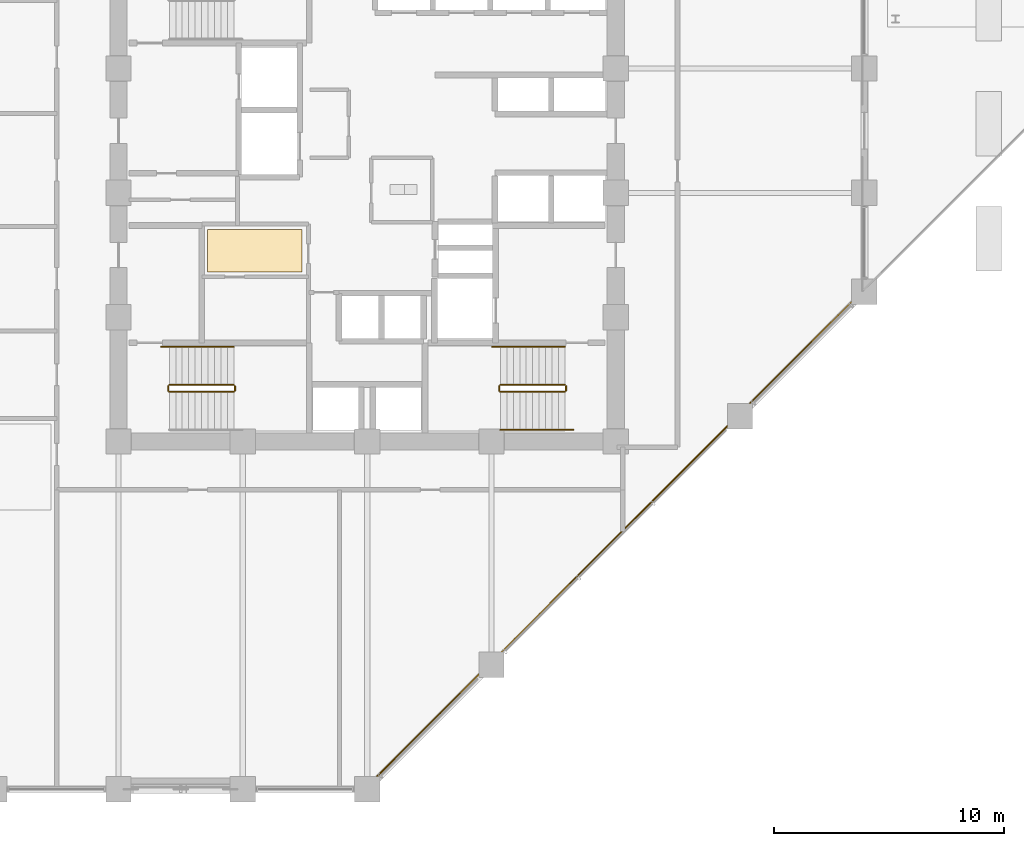
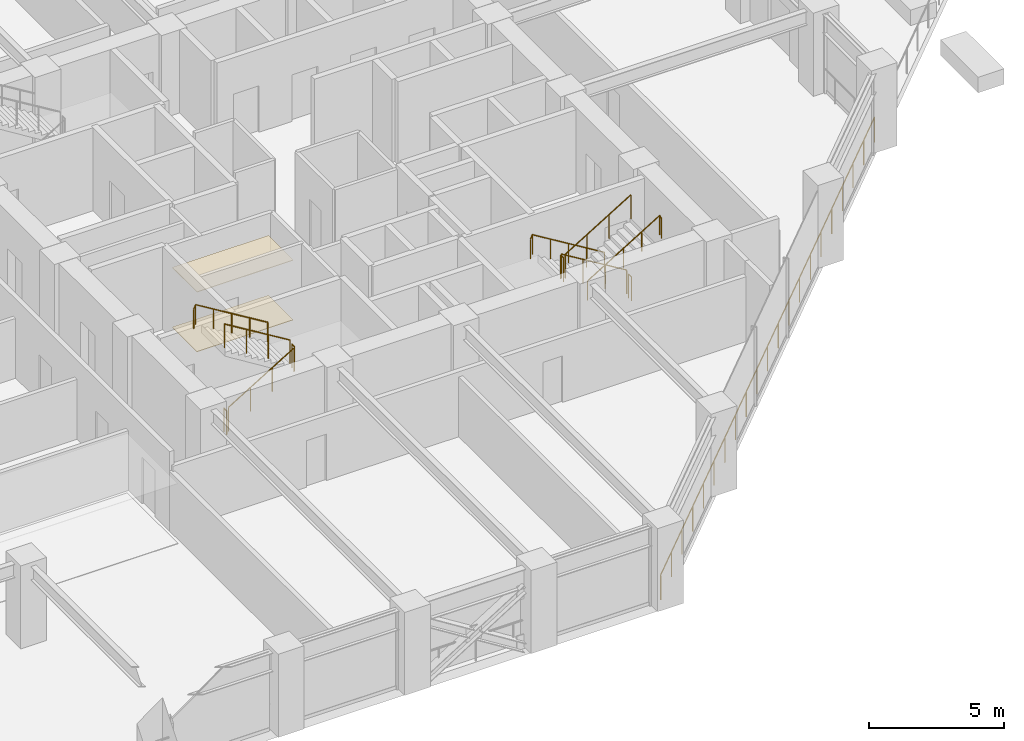
# One storey, part 25 of 30: 12 railings, 2 coverings.
"""IFC4 building model written with IfcOpenShell, lengths in metres."""

from ifc_helpers import new_model, si_unit, direction, frame, origin, origin_2d, place, context, subcontext, project, spatial, polyline, circle, outline, extrude, material, layer, layer_set, type_object, element, save


model = new_model("IFC4")

# Units and contexts
model_context = context("Model", 3, precision=1e-05, world=origin(), true_north=direction((0.0, 1.0)))
body_context = subcontext(model_context, "Body", "Model", "MODEL_VIEW")
ifc_project = project(units=[si_unit("LENGTHUNIT", "METRE"), si_unit("AREAUNIT", "SQUARE_METRE"), si_unit("VOLUMEUNIT", "CUBIC_METRE"), si_unit("PLANEANGLEUNIT", "RADIAN"), si_unit("MASSUNIT", "GRAM", prefix="KILO")], contexts=[model_context])

# Site, building, storey
site_placement = place(None, origin())
site = spatial("IfcSite", under=ifc_project, at=site_placement, CompositionType="ELEMENT")
building_placement = place(site_placement, origin())
building = spatial("IfcBuilding", under=site, at=building_placement, Name="Surkhivell Harbour Commons", CompositionType="ELEMENT")
storey_placement = place(building_placement, frame((0.0, 0.0, 83.25)))
storey = spatial("IfcBuildingStorey", under=building, at=storey_placement, Name="L21", CompositionType="ELEMENT", Elevation=83.25)

# Coverings
ifc_material_1 = material(Name="Perforated acoustic mineral-fibre ceiling tile", Category="other")
ifc_layer_1 = layer(ifc_material_1, 0.02490234375)
ifc_layer_set_1 = layer_set([ifc_layer_1], Name="Perforated acoustic mineral-fibre ceiling tile")
covering_type_1 = type_object("IfcCoveringType", Name="COV-CEIL-AC", PredefinedType="CEILING", material=ifc_layer_set_1)
covering_1_placement = place(storey_placement, frame((0.0, 0.0, 2.694091796875)))
element("IfcCovering", 1, at=covering_1_placement, inside=storey, type_object=covering_type_1, Name="L21 Suspended Acoustic Ceiling 1", PredefinedType="CEILING", context=body_context, shape_type="SweptSolid", body=[
    extrude(outline(polyline([(-6.929931640625, -3.429931640625), (-2.820068359375, -3.429931640625), (-2.820068359375, -1.60009765625), (-6.929931640625, -1.60009765625), (-6.929931640625, -3.429931640625)])), origin(), (0.0, 0.0, 1.0), 0.02490234375),
])
ifc_material_2 = material(Name="Engineered acoustic oak timber flooring", Category="wood")
ifc_layer_2 = layer(ifc_material_2, 0.02001953125)
ifc_layer_set_2 = layer_set([ifc_layer_2], Name="Engineered acoustic oak timber flooring")
covering_type_2 = type_object("IfcCoveringType", Name="COV-FLR-TIM", PredefinedType="FLOORING", material=ifc_layer_set_2)
covering_2_placement = place(storey_placement, origin())
element("IfcCovering", 2, at=covering_2_placement, inside=storey, type_object=covering_type_2, Name="L21 Interior Floor Finish 1", PredefinedType="FLOORING", context=body_context, shape_type="SweptSolid", body=[
    extrude(outline(polyline([(-6.929931640625, -3.429931640625), (-2.820068359375, -3.429931640625), (-2.820068359375, -1.60009765625), (-6.929931640625, -1.60009765625), (-6.929931640625, -3.429931640625)])), origin(), (0.0, 0.0, 1.0), 0.02001953125),
])

# Railings
ifc_material_3 = material(Name="Laminated safety glass and stainless steel S355 balustrade", Category="steel")
railing_type_1 = type_object("IfcRailingType", Name="RAL-BAL-1150", PredefinedType="BALUSTRADE", material=ifc_material_3)
railing_1_placement = place(storey_placement, frame((-0.063720703125, -25.83642578125, 0.0)))
element("IfcRailing", 3, at=railing_1_placement, inside=storey, type_object=railing_type_1, Name="L21 Perimeter Safety Guard 02", PredefinedType="BALUSTRADE", context=body_context, shape_type="SweptSolid", body=[
    extrude(circle(Radius=0.02392578125, at=origin_2d()), frame((0.0, 0.0, 1.1259765625), z_axis=(0.707106781187, 0.707106781187, 0.0), x_axis=(-0.707106781187, 0.707106781187, 0.0)), (0.0, 0.0, 1.0), 30.547119140625),
    extrude(circle(Radius=0.02099609375, at=origin_2d()), origin(), (0.0, 0.0, 1.0), 1.101806640625),
    extrude(circle(Radius=0.02099609375, at=origin_2d()), frame((1.080078125, 1.080078125, 0.0)), (0.0, 0.0, 1.0), 1.101806640625),
    extrude(circle(Radius=0.02099609375, at=origin_2d()), frame((2.159912109375, 2.159912109375, 0.0)), (0.0, 0.0, 1.0), 1.101806640625),
    extrude(circle(Radius=0.02099609375, at=origin_2d()), frame((3.239990234375, 3.239990234375, 0.0)), (0.0, 0.0, 1.0), 1.101806640625),
    extrude(circle(Radius=0.02099609375, at=origin_2d()), frame((4.320068359375, 4.320068359375, 0.0)), (0.0, 0.0, 1.0), 1.101806640625),
    extrude(circle(Radius=0.02099609375, at=origin_2d()), frame((5.39990234375, 5.39990234375, 0.0)), (0.0, 0.0, 1.0), 1.101806640625),
    extrude(circle(Radius=0.02099609375, at=origin_2d()), frame((6.47998046875, 6.47998046875, 0.0)), (0.0, 0.0, 1.0), 1.101806640625),
    extrude(circle(Radius=0.02099609375, at=origin_2d()), frame((7.56005859375, 7.56005859375, 0.0)), (0.0, 0.0, 1.0), 1.101806640625),
    extrude(circle(Radius=0.02099609375, at=origin_2d()), frame((8.64013671875, 8.64013671875, 0.0)), (0.0, 0.0, 1.0), 1.101806640625),
    extrude(circle(Radius=0.02099609375, at=origin_2d()), frame((9.719970703125, 9.719970703125, 0.0)), (0.0, 0.0, 1.0), 1.101806640625),
    extrude(circle(Radius=0.02099609375, at=origin_2d()), frame((10.800048828125, 10.800048828125, 0.0)), (0.0, 0.0, 1.0), 1.101806640625),
    extrude(circle(Radius=0.02099609375, at=origin_2d()), frame((11.880126953125, 11.880126953125, 0.0)), (0.0, 0.0, 1.0), 1.101806640625),
    extrude(circle(Radius=0.02099609375, at=origin_2d()), frame((12.9599609375, 12.9599609375, 0.0)), (0.0, 0.0, 1.0), 1.101806640625),
    extrude(circle(Radius=0.02099609375, at=origin_2d()), frame((14.0400390625, 14.0400390625, 0.0)), (0.0, 0.0, 1.0), 1.101806640625),
    extrude(circle(Radius=0.02099609375, at=origin_2d()), frame((15.1201171875, 15.1201171875, 0.0)), (0.0, 0.0, 1.0), 1.101806640625),
    extrude(circle(Radius=0.02099609375, at=origin_2d()), frame((16.2001953125, 16.2001953125, 0.0)), (0.0, 0.0, 1.0), 1.101806640625),
    extrude(circle(Radius=0.02099609375, at=origin_2d()), frame((17.280029296875, 17.280029296875, 0.0)), (0.0, 0.0, 1.0), 1.101806640625),
    extrude(circle(Radius=0.02099609375, at=origin_2d()), frame((18.360107421875, 18.360107421875, 0.0)), (0.0, 0.0, 1.0), 1.101806640625),
    extrude(circle(Radius=0.02099609375, at=origin_2d()), frame((19.440185546875, 19.440185546875, 0.0)), (0.0, 0.0, 1.0), 1.101806640625),
    extrude(circle(Radius=0.02099609375, at=origin_2d()), frame((20.52001953125, 20.52001953125, 0.0)), (0.0, 0.0, 1.0), 1.101806640625),
    extrude(circle(Radius=0.02099609375, at=origin_2d()), frame((21.60009765625, 21.60009765625, 0.0)), (0.0, 0.0, 1.0), 1.101806640625),
])
ifc_material_4 = material(Name="Galvanised and painted steel S355 guard rail", Category="steel")
railing_type_2 = type_object("IfcRailingType", Name="RAL-ST-GRD1100", PredefinedType="GUARDRAIL", material=ifc_material_4)
railing_2_placement = place(storey_placement, frame((8.590087890625, -8.340087890625, 0.17041015625)))
element("IfcRailing", 4, at=railing_2_placement, inside=storey, type_object=railing_type_2, Name="L21 ST2 stair guard 1", PredefinedType="GUARDRAIL", context=body_context, shape_type="SweptSolid", body=[
    extrude(circle(Radius=0.02392578125, at=origin_2d()), frame((0.0, 0.0, 1.076171875), z_axis=(-0.854169791009, 0.0, 0.51999420009), x_axis=(0.0, -1.0, 0.0)), (0.0, 0.0, 1.0), 3.278076171875),
    extrude(circle(Radius=0.02099609375, at=origin_2d()), origin(), (0.0, 0.0, 1.0), 1.052001953125),
    extrude(circle(Radius=0.02099609375, at=origin_2d()), frame((-0.933349609375, 0.0, 0.568115234375)), (0.0, 0.0, 1.0), 1.052001953125),
    extrude(circle(Radius=0.02099609375, at=origin_2d()), frame((-1.86669921875, 0.0, 1.136474609375)), (0.0, 0.0, 1.0), 1.052001953125),
    extrude(circle(Radius=0.02099609375, at=origin_2d()), frame((-2.800048828125, 0.0, 1.70458984375)), (0.0, 0.0, 1.0), 1.052001953125),
])
railing_3_placement = place(storey_placement, frame((5.739990234375, -8.389892578125, 1.875)))
element("IfcRailing", 5, at=railing_3_placement, inside=storey, type_object=railing_type_2, Name="L21 ST2 stair guard 2", PredefinedType="GUARDRAIL", context=body_context, shape_type="SweptSolid", body=[
    extrude(circle(Radius=0.02392578125, at=origin_2d()), frame((0.0, 0.0, 1.076171875), z_axis=(0.0, -1.0, 0.0), x_axis=(1.0, 0.0, 0.0)), (0.0, 0.0, 1.0), 0.2001953125),
    extrude(circle(Radius=0.02099609375, at=origin_2d()), origin(), (0.0, 0.0, 1.0), 1.052001953125),
    extrude(circle(Radius=0.02099609375, at=origin_2d()), frame((0.0, -0.2001953125, 0.0)), (0.0, 0.0, 1.0), 1.052001953125),
])
railing_4_placement = place(storey_placement, frame((5.7900390625, -8.639892578125, 2.04541015625)))
element("IfcRailing", 6, at=railing_4_placement, inside=storey, type_object=railing_type_2, Name="L21 ST2 stair guard 3", PredefinedType="GUARDRAIL", context=body_context, shape_type="SweptSolid", body=[
    extrude(circle(Radius=0.02392578125, at=origin_2d()), frame((0.0, 0.0, 1.076171875), z_axis=(0.854169791009, 0.0, 0.51999420009), x_axis=(0.0, 1.0, 0.0)), (0.0, 0.0, 1.0), 3.278076171875),
    extrude(circle(Radius=0.02099609375, at=origin_2d()), origin(), (0.0, 0.0, 1.0), 1.052001953125),
    extrude(circle(Radius=0.02099609375, at=origin_2d()), frame((0.933349609375, 0.0, 0.568115234375)), (0.0, 0.0, 1.0), 1.052001953125),
    extrude(circle(Radius=0.02099609375, at=origin_2d()), frame((1.86669921875, 0.0, 1.136474609375)), (0.0, 0.0, 1.0), 1.052001953125),
    extrude(circle(Radius=0.02099609375, at=origin_2d()), frame((2.800048828125, 0.0, 1.70458984375)), (0.0, 0.0, 1.0), 1.052001953125),
])
railing_5_placement = place(storey_placement, frame((8.639892578125, -8.389892578125, 0.0)))
element("IfcRailing", 7, at=railing_5_placement, inside=storey, type_object=railing_type_2, Name="L21 ST2 stair guard 4", PredefinedType="GUARDRAIL", context=body_context, shape_type="SweptSolid", body=[
    extrude(circle(Radius=0.02392578125, at=origin_2d()), frame((0.0, 0.0, 1.076171875), z_axis=(0.0, -1.0, 0.0), x_axis=(1.0, 0.0, 0.0)), (0.0, 0.0, 1.0), 0.2001953125),
    extrude(circle(Radius=0.02099609375, at=origin_2d()), origin(), (0.0, 0.0, 1.0), 1.052001953125),
    extrude(circle(Radius=0.02099609375, at=origin_2d()), frame((0.0, -0.2001953125, 0.0)), (0.0, 0.0, 1.0), 1.052001953125),
])
railing_6_placement = place(storey_placement, frame((-8.590087890625, -8.639892578125, 0.17041015625)))
element("IfcRailing", 8, at=railing_6_placement, inside=storey, type_object=railing_type_2, Name="L21 ST3 stair guard 1", PredefinedType="GUARDRAIL", context=body_context, shape_type="SweptSolid", body=[
    extrude(circle(Radius=0.02392578125, at=origin_2d()), frame((0.0, 0.0, 1.076171875), z_axis=(0.854169791009, 0.0, 0.51999420009), x_axis=(0.0, 1.0, 0.0)), (0.0, 0.0, 1.0), 3.278076171875),
    extrude(circle(Radius=0.02099609375, at=origin_2d()), origin(), (0.0, 0.0, 1.0), 1.052001953125),
    extrude(circle(Radius=0.02099609375, at=origin_2d()), frame((0.933349609375, 0.0, 0.568115234375)), (0.0, 0.0, 1.0), 1.052001953125),
    extrude(circle(Radius=0.02099609375, at=origin_2d()), frame((1.86669921875, 0.0, 1.136474609375)), (0.0, 0.0, 1.0), 1.052001953125),
    extrude(circle(Radius=0.02099609375, at=origin_2d()), frame((2.800048828125, 0.0, 1.70458984375)), (0.0, 0.0, 1.0), 1.052001953125),
])
railing_7_placement = place(storey_placement, frame((-5.739990234375, -8.590087890625, 1.875)))
element("IfcRailing", 9, at=railing_7_placement, inside=storey, type_object=railing_type_2, Name="L21 ST3 stair guard 2", PredefinedType="GUARDRAIL", context=body_context, shape_type="SweptSolid", body=[
    extrude(circle(Radius=0.02392578125, at=origin_2d()), frame((0.0, 0.0, 1.076171875), z_axis=(0.0, 1.0, 0.0), x_axis=(-1.0, 0.0, 0.0)), (0.0, 0.0, 1.0), 0.2001953125),
    extrude(circle(Radius=0.02099609375, at=origin_2d()), origin(), (0.0, 0.0, 1.0), 1.052001953125),
    extrude(circle(Radius=0.02099609375, at=origin_2d()), frame((0.0, 0.2001953125, 0.0)), (0.0, 0.0, 1.0), 1.052001953125),
])
railing_8_placement = place(storey_placement, frame((-5.7900390625, -8.340087890625, 2.04541015625)))
element("IfcRailing", 10, at=railing_8_placement, inside=storey, type_object=railing_type_2, Name="L21 ST3 stair guard 3", PredefinedType="GUARDRAIL", context=body_context, shape_type="SweptSolid", body=[
    extrude(circle(Radius=0.02392578125, at=origin_2d()), frame((0.0, 0.0, 1.076171875), z_axis=(-0.854169791009, 0.0, 0.51999420009), x_axis=(0.0, -1.0, 0.0)), (0.0, 0.0, 1.0), 3.278076171875),
    extrude(circle(Radius=0.02099609375, at=origin_2d()), origin(), (0.0, 0.0, 1.0), 1.052001953125),
    extrude(circle(Radius=0.02099609375, at=origin_2d()), frame((-0.933349609375, 0.0, 0.568115234375)), (0.0, 0.0, 1.0), 1.052001953125),
    extrude(circle(Radius=0.02099609375, at=origin_2d()), frame((-1.86669921875, 0.0, 1.136474609375)), (0.0, 0.0, 1.0), 1.052001953125),
    extrude(circle(Radius=0.02099609375, at=origin_2d()), frame((-2.800048828125, 0.0, 1.70458984375)), (0.0, 0.0, 1.0), 1.052001953125),
])
railing_9_placement = place(storey_placement, frame((-8.639892578125, -8.590087890625, 0.0)))
element("IfcRailing", 11, at=railing_9_placement, inside=storey, type_object=railing_type_2, Name="L21 ST3 stair guard 4", PredefinedType="GUARDRAIL", context=body_context, shape_type="SweptSolid", body=[
    extrude(circle(Radius=0.02392578125, at=origin_2d()), frame((0.0, 0.0, 1.076171875), z_axis=(0.0, 1.0, 0.0), x_axis=(-1.0, 0.0, 0.0)), (0.0, 0.0, 1.0), 0.2001953125),
    extrude(circle(Radius=0.02099609375, at=origin_2d()), origin(), (0.0, 0.0, 1.0), 1.052001953125),
    extrude(circle(Radius=0.02099609375, at=origin_2d()), frame((0.0, 0.2001953125, 0.0)), (0.0, 0.0, 1.0), 1.052001953125),
])
ifc_material_5 = material(Name="Brushed stainless steel S355 handrail", Category="steel")
railing_type_3 = type_object("IfcRailingType", Name="RAL-ST-HND900", PredefinedType="HANDRAIL", material=ifc_material_5)
railing_10_placement = place(storey_placement, frame((8.590087890625, -6.68994140625, 0.17041015625)))
element("IfcRailing", 12, at=railing_10_placement, inside=storey, type_object=railing_type_3, Name="L21 ST2 stair handrail 1", PredefinedType="HANDRAIL", context=body_context, shape_type="SweptSolid", body=[
    extrude(circle(Radius=0.02392578125, at=origin_2d()), frame((0.0, 0.0, 0.8759765625), z_axis=(-0.854177636135, 0.0, 0.519981313056), x_axis=(0.0, -1.0, 0.0)), (0.0, 0.0, 1.0), 3.60595703125),
    extrude(circle(Radius=0.02392578125, at=origin_2d()), frame((-3.080078125, 0.0, 2.7509765625), z_axis=(-0.425297416671, 0.0, -0.905053648892), x_axis=(0.0, -1.0, 0.0)), (0.0, 0.0, 1.0), 0.188232421875),
    extrude(circle(Radius=0.02099609375, at=origin_2d()), origin(), (0.0, 0.0, 1.0), 0.851806640625),
    extrude(circle(Radius=0.02099609375, at=origin_2d()), frame((-0.77001953125, 0.0, 0.46875)), (0.0, 0.0, 1.0), 0.851806640625),
    extrude(circle(Radius=0.02099609375, at=origin_2d()), frame((-1.5400390625, 0.0, 0.9375)), (0.0, 0.0, 1.0), 0.851806640625),
    extrude(circle(Radius=0.02099609375, at=origin_2d()), frame((-2.31005859375, 0.0, 1.40625)), (0.0, 0.0, 1.0), 0.851806640625),
    extrude(circle(Radius=0.02099609375, at=origin_2d()), frame((-3.080078125, 0.0, 1.875)), (0.0, 0.0, 1.0), 0.851806640625),
    extrude(circle(Radius=0.02099609375, at=origin_2d()), frame((-3.16015625, 0.0, 1.70458984375)), (0.0, 0.0, 1.0), 0.851806640625),
])
railing_11_placement = place(storey_placement, frame((5.7900390625, -10.2900390625, 2.04541015625)))
element("IfcRailing", 13, at=railing_11_placement, inside=storey, type_object=railing_type_3, Name="L21 ST2 stair handrail 2", PredefinedType="HANDRAIL", context=body_context, shape_type="SweptSolid", body=[
    extrude(circle(Radius=0.02392578125, at=origin_2d()), frame((0.0, 0.0, 0.8759765625), z_axis=(0.854177636135, 0.0, 0.519981313056), x_axis=(0.0, 1.0, 0.0)), (0.0, 0.0, 1.0), 3.60595703125),
    extrude(circle(Radius=0.02392578125, at=origin_2d()), frame((3.080078125, 0.0, 2.7509765625), z_axis=(0.424234432967, 0.0, -0.905552398199), x_axis=(0.0, 1.0, 0.0)), (0.0, 0.0, 1.0), 0.188232421875),
    extrude(circle(Radius=0.02099609375, at=origin_2d()), origin(), (0.0, 0.0, 1.0), 0.851806640625),
    extrude(circle(Radius=0.02099609375, at=origin_2d()), frame((0.77001953125, 0.0, 0.46875)), (0.0, 0.0, 1.0), 0.851806640625),
    extrude(circle(Radius=0.02099609375, at=origin_2d()), frame((1.5400390625, 0.0, 0.9375)), (0.0, 0.0, 1.0), 0.851806640625),
    extrude(circle(Radius=0.02099609375, at=origin_2d()), frame((2.31005859375, 0.0, 1.40625)), (0.0, 0.0, 1.0), 0.851806640625),
    extrude(circle(Radius=0.02099609375, at=origin_2d()), frame((3.080078125, 0.0, 1.875)), (0.0, 0.0, 1.0), 0.851806640625),
    extrude(circle(Radius=0.02099609375, at=origin_2d()), frame((3.159912109375, 0.0, 1.70458984375)), (0.0, 0.0, 1.0), 0.851806640625),
])
railing_12_placement = place(storey_placement, frame((-5.7900390625, -6.68994140625, 2.04541015625)))
element("IfcRailing", 14, at=railing_12_placement, inside=storey, type_object=railing_type_3, Name="L21 ST3 stair handrail 2", PredefinedType="HANDRAIL", context=body_context, shape_type="SweptSolid", body=[
    extrude(circle(Radius=0.02392578125, at=origin_2d()), frame((0.0, 0.0, 0.8759765625), z_axis=(-0.854177636135, 0.0, 0.519981313056), x_axis=(0.0, -1.0, 0.0)), (0.0, 0.0, 1.0), 3.60595703125),
    extrude(circle(Radius=0.02392578125, at=origin_2d()), frame((-3.080078125, 0.0, 2.7509765625), z_axis=(-0.424234432967, 0.0, -0.905552398199), x_axis=(0.0, -1.0, 0.0)), (0.0, 0.0, 1.0), 0.188232421875),
    extrude(circle(Radius=0.02099609375, at=origin_2d()), origin(), (0.0, 0.0, 1.0), 0.851806640625),
    extrude(circle(Radius=0.02099609375, at=origin_2d()), frame((-0.77001953125, 0.0, 0.46875)), (0.0, 0.0, 1.0), 0.851806640625),
    extrude(circle(Radius=0.02099609375, at=origin_2d()), frame((-1.5400390625, 0.0, 0.9375)), (0.0, 0.0, 1.0), 0.851806640625),
    extrude(circle(Radius=0.02099609375, at=origin_2d()), frame((-2.31005859375, 0.0, 1.40625)), (0.0, 0.0, 1.0), 0.851806640625),
    extrude(circle(Radius=0.02099609375, at=origin_2d()), frame((-3.080078125, 0.0, 1.875)), (0.0, 0.0, 1.0), 0.851806640625),
    extrude(circle(Radius=0.02099609375, at=origin_2d()), frame((-3.159912109375, 0.0, 1.70458984375)), (0.0, 0.0, 1.0), 0.851806640625),
])

save(model, "model.ifc")
